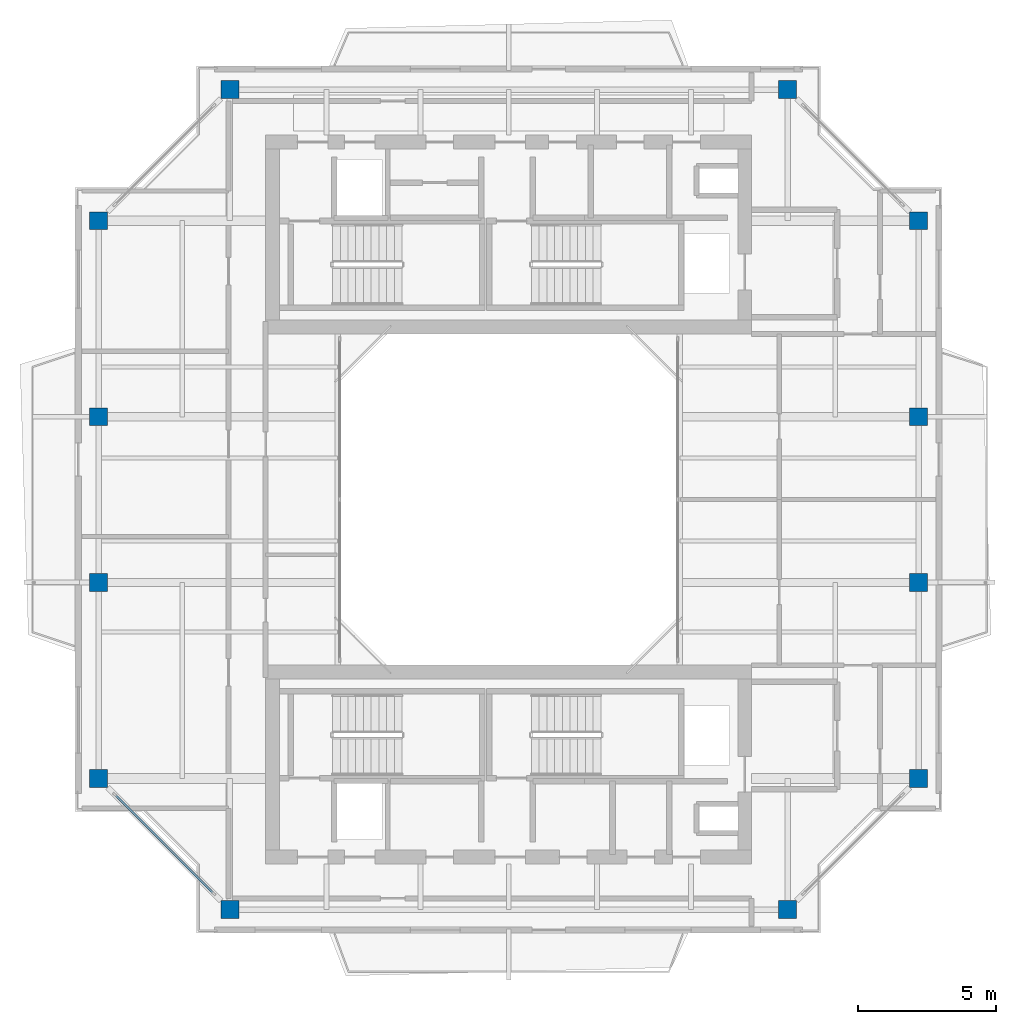
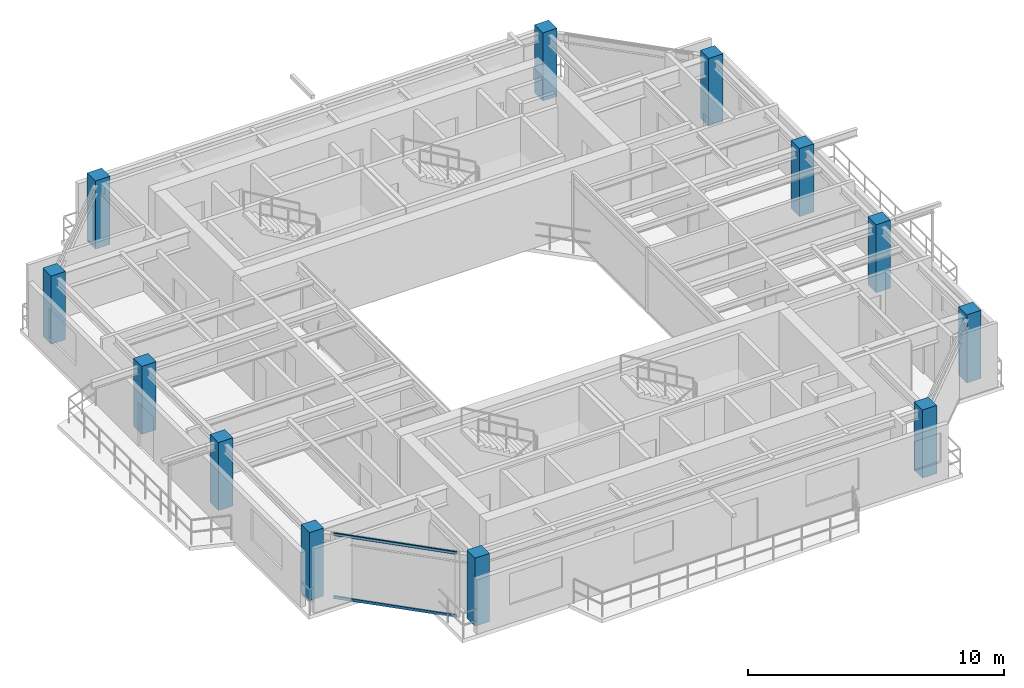
# One storey, part 1 of 14: 12 columns, 2 members, 1 element without a shape of its own.
"""IFC4 building model written with IfcOpenShell, lengths in metres."""

from ifc_helpers import new_model, si_unit, direction, frame, origin, origin_2d, place, context, subcontext, project, spatial, rectangle, extrude, source, transform, mapped, material, layer, layer_set, material_profile, profile_set, type_object, element, aggregate, save


model = new_model("IFC4")

# Units and contexts
model_context = context("Model", 3, precision=1e-05, world=origin(), true_north=direction((0.0, 1.0)))
body_context = subcontext(model_context, "Body", "Model", "MODEL_VIEW")
ifc_project = project(units=[si_unit("LENGTHUNIT", "METRE"), si_unit("AREAUNIT", "SQUARE_METRE"), si_unit("VOLUMEUNIT", "CUBIC_METRE"), si_unit("PLANEANGLEUNIT", "RADIAN"), si_unit("MASSUNIT", "GRAM", prefix="KILO"), si_unit("THERMODYNAMICTEMPERATUREUNIT", "KELVIN"), si_unit("POWERUNIT", "WATT")], contexts=[model_context])

# Site, building, storey
site_placement = place(None, origin())
site = spatial("IfcSite", under=ifc_project, at=site_placement, CompositionType="ELEMENT")
building_placement = place(site_placement, origin())
building = spatial("IfcBuilding", under=site, at=building_placement, Name="Qiaomeng Ring Towers", CompositionType="ELEMENT")
storey_placement = place(building_placement, frame((0.0, 0.0, 240.5)))
storey = spatial("IfcBuildingStorey", under=building, at=storey_placement, Name="L70", CompositionType="ELEMENT", Elevation=240.5)

# Columns
ifc_material_1 = material(Name="Concrete C40", Category="concrete")
ifc_material_profile_1 = material_profile(ifc_material_1, rectangle(XDim=0.64990234375, YDim=0.64990234375, at=origin_2d()), Name="RC COL 650x650")
ifc_profile_set_1 = profile_set([ifc_material_profile_1], Name="Concrete C40")
column_type = type_object("IfcColumnType", Name="STR-COL-650-C40", PredefinedType="COLUMN", material=ifc_profile_set_1)
shared_shape_1 = source(origin(), body_context, "Body", "SweptSolid", [
    extrude(rectangle(XDim=0.64990234375, YDim=0.64990234375, at=origin_2d()), origin(), (0.0, 0.0, 1.0), 3.25),
])
for number, where, z_axis, x_axis, name in (
    (1, (8.89990234375, 8.14990234375, 0.0), (0.0, 0.0, 1.0), (1.0, 0.0, 0.0), "L70 column STR-COL-L70-T1-S1"),
    (2, (29.10009765625, 8.14990234375, 0.0), (0.0, 0.0, 1.0), (1.0, 0.0, 0.0), "L70 column STR-COL-L70-T1-S2"),
    (3, (33.85009765625, 12.89990234375, 0.0), (0.0, 0.0, 1.0), (1.0, 0.0, 0.0), "L70 column STR-COL-L70-T1-E1"),
    (4, (33.85009765625, 20.0, 0.0), (0.0, 0.0, 1.0), (1.0, 0.0, 0.0), "L70 column STR-COL-L70-T1-E2"),
    (5, (33.85009765625, 26.0, 0.0), (0.0, 0.0, 1.0), (1.0, 0.0, 0.0), "L70 column STR-COL-L70-T1-E3"),
    (6, (33.85009765625, 33.10009765625, 0.0), (0.0, 0.0, 1.0), (1.0, 0.0, 0.0), "L70 column STR-COL-L70-T1-E4"),
    (7, (29.10009765625, 37.85009765625, 0.0), (0.0, 0.0, 1.0), (1.0, 0.0, 0.0), "L70 column STR-COL-L70-T1-N2"),
    (8, (8.89990234375, 37.85009765625, 0.0), (0.0, 0.0, 1.0), (1.0, 0.0, 0.0), "L70 column STR-COL-L70-T1-N1"),
    (9, (4.14990234375, 33.10009765625, 0.0), (0.0, 0.0, 1.0), (1.0, 0.0, 0.0), "L70 column STR-COL-L70-T1-W4"),
    (10, (4.14990234375, 26.0, 0.0), (0.0, 0.0, 1.0), (1.0, 0.0, 0.0), "L70 column STR-COL-L70-T1-W3"),
    (11, (4.14990234375, 20.0, 0.0), (0.0, 0.0, 1.0), (1.0, 0.0, 0.0), "L70 column STR-COL-L70-T1-W2"),
    (12, (4.14990234375, 12.89990234375, 0.0), (0.0, 0.0, 1.0), (1.0, 0.0, 0.0), "L70 column STR-COL-L70-T1-W1"),
):
    element("IfcColumn", number, at=place(storey_placement, frame(where, z_axis=z_axis, x_axis=x_axis)), inside=storey, type_object=column_type, Name=name, PredefinedType="COLUMN", context=body_context, shape_type="MappedRepresentation", body=[
        mapped(shared_shape_1, transform((0.0, 0.0, 0.0), x_axis=(1.0, 0.0, 0.0), y_axis=(0.0, 1.0, 0.0), z_axis=(0.0, 0.0, 1.0), scale=1.0)),
    ])

# Curtain wall, members
ifc_material_2 = material(Name="Fluorocarbon dark-grey aluminium", Category="aluminium")
ifc_layer = layer(ifc_material_2, 0.14990234375, Name="Fluorocarbon dark-grey aluminium")
ifc_layer_set = layer_set([ifc_layer], Name="Fluorocarbon dark-grey aluminium")
curtain_wall_type = type_object("IfcCurtainWallType", Name="ARC-CW-3", PredefinedType="NOTDEFINED", material=ifc_layer_set)
curtain_wall_placement = place(storey_placement, origin())
curtain_wall = element("IfcCurtainWall", 13, at=curtain_wall_placement, inside=storey, type_object=curtain_wall_type, Name="L70 Curtain Wall CW3", PredefinedType="NOTDEFINED")
ifc_material_profile_2 = material_profile(ifc_material_2, rectangle(XDim=0.06494140625, YDim=0.1298828125, at=origin_2d()), Name="ALU TRAN 65x130")
ifc_profile_set_2 = profile_set([ifc_material_profile_2], Name="Fluorocarbon dark-grey aluminium")
member_type = type_object("IfcMemberType", Name="ARC-CWT-120", PredefinedType="USERDEFINED", material=ifc_profile_set_2)
shared_shape_2 = source(origin(), body_context, "Body", "SweptSolid", [
    extrude(rectangle(XDim=0.06494140625, YDim=0.1298828125, at=origin_2d()), origin(), (0.0, 0.0, 1.0), 4.9794921875),
])
member_1_placement = place(storey_placement, frame((4.764404296875, 12.285400390625, 0.032470703125), z_axis=(0.707106781187, -0.707106781187, 0.0), x_axis=(0.707106781187, 0.707106781187, 0.0)))
member_1 = element("IfcMember", 14, at=member_1_placement, type_object=member_type, Name="CW3 transom 1.1", ObjectType="TRANSOM", PredefinedType="USERDEFINED", context=body_context, shape_type="MappedRepresentation", body=[
    mapped(shared_shape_2, transform((0.0, 0.0, 0.0), x_axis=(1.0, 0.0, 0.0), y_axis=(0.0, 1.0, 0.0), z_axis=(0.0, 0.0, 1.0), scale=1.0)),
])
member_2_placement = place(storey_placement, frame((4.764404296875, 12.285400390625, 3.03759765625), z_axis=(0.707106781187, -0.707106781187, 0.0), x_axis=(0.707106781187, 0.707106781187, 0.0)))
member_2 = element("IfcMember", 15, at=member_2_placement, type_object=member_type, Name="CW3 transom 1.2", ObjectType="TRANSOM", PredefinedType="USERDEFINED", context=body_context, shape_type="MappedRepresentation", body=[
    mapped(shared_shape_2, transform((0.0, 0.0, 0.0), x_axis=(1.0, 0.0, 0.0), y_axis=(0.0, 1.0, 0.0), z_axis=(0.0, 0.0, 1.0), scale=1.0)),
])
aggregate(curtain_wall, [member_1, member_2])

save(model, "model.ifc")
